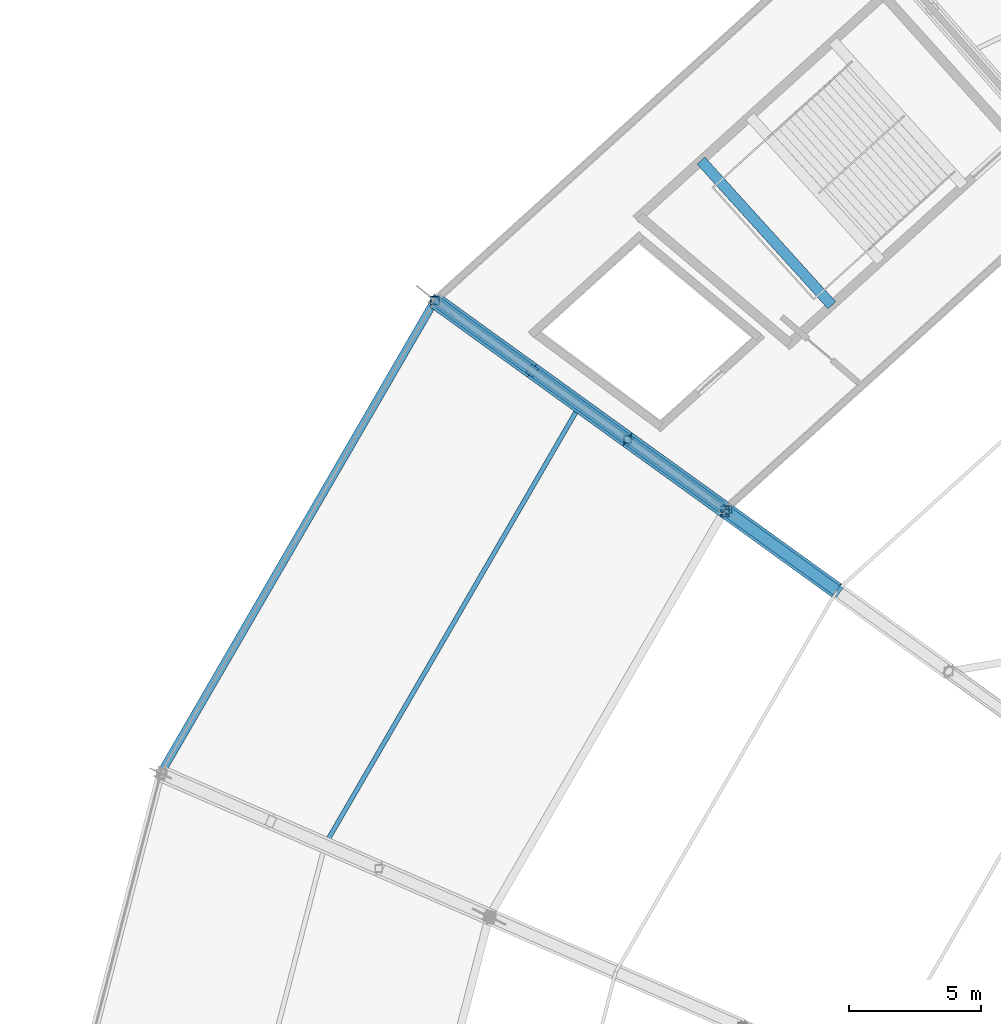
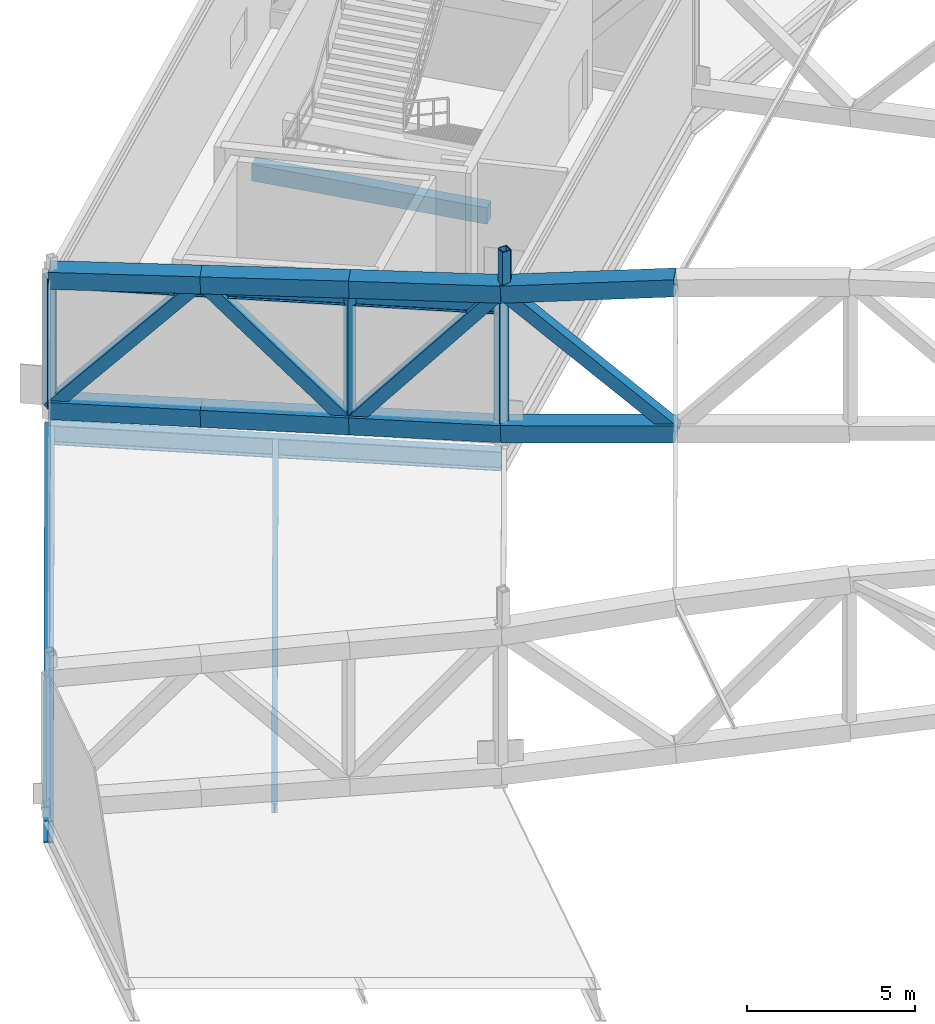
# One storey, part 66 of 162: 17 members, 5 beams.
"""IFC4 building model written with IfcOpenShell, lengths in metres."""

from ifc_helpers import new_model, si_unit, direction, frame, origin, origin_2d, place, context, subcontext, project, spatial, rectangle, hollow_rectangle, i_section, extrude, material, material_profile, profile_set, type_object, element, save


model = new_model("IFC4")

# Units and contexts
model_context = context("Model", 3, precision=1e-05, world=origin(), true_north=direction((0.0, 1.0)))
body_context = subcontext(model_context, "Body", "Model", "MODEL_VIEW")
ifc_project = project(units=[si_unit("LENGTHUNIT", "METRE"), si_unit("AREAUNIT", "SQUARE_METRE"), si_unit("VOLUMEUNIT", "CUBIC_METRE"), si_unit("PLANEANGLEUNIT", "RADIAN"), si_unit("MASSUNIT", "GRAM", prefix="KILO")], contexts=[model_context])

# Site, building, storey
site_placement = place(None, origin())
site = spatial("IfcSite", under=ifc_project, at=site_placement, CompositionType="ELEMENT")
building_placement = place(site_placement, origin())
building = spatial("IfcBuilding", under=site, at=building_placement, Name="Kazemori Nagisa Stadium", CompositionType="ELEMENT")
storey_placement = place(building_placement, frame((0.0, 0.0, 36.719970703125)))
storey = spatial("IfcBuildingStorey", under=building, at=storey_placement, Name="RF", CompositionType="ELEMENT", Elevation=36.719970703125)

# Beams
ifc_material_1 = material(Name="Steel SN490B", Category="steel")
ifc_material_profile_1 = material_profile(ifc_material_1, i_section(OverallWidth=0.199951171875, OverallDepth=0.5, WebThickness=0.010009765625, FlangeThickness=0.01611328125, FilletRadius=0.012939453125, at=origin_2d()), Name="H-500x200x10x16")
ifc_profile_set_1 = profile_set([ifc_material_profile_1], Name="Steel SN490B")
beam_type_1 = type_object("IfcBeamType", Name="Beam_BG-H500", PredefinedType="BEAM", material=ifc_profile_set_1)
beam_1_placement = place(storey_placement, frame((55.493896484375, 150.734130859375, 4.93994140625), z_axis=(-0.810787509935, 0.585340596349, 0.0), x_axis=(-0.585340596349, -0.810787509935, 0.0)))
element("IfcBeam", 1, at=beam_1_placement, inside=storey, type_object=beam_type_1, Name="Headhouse roof beam BG-H500 B11-radR", PredefinedType="BEAM", context=body_context, shape_type="SweptSolid", body=[
    extrude(i_section(OverallWidth=0.199951171875, OverallDepth=0.5, WebThickness=0.010009765625, FlangeThickness=0.01611328125, FilletRadius=0.012939453125, at=origin_2d()), origin(), (0.0, 0.0, 1.0), 13.5537109375),
])
ifc_material_profile_2 = material_profile(ifc_material_1, i_section(OverallWidth=0.300048828125, OverallDepth=0.699951171875, WebThickness=0.012939453125, FlangeThickness=0.02392578125, FilletRadius=0.01806640625, at=origin_2d()), Name="H-700x300x13x24")
ifc_profile_set_2 = profile_set([ifc_material_profile_2], Name="Steel SN490B")
beam_type_2 = type_object("IfcBeamType", Name="Beam_BG-H700", PredefinedType="BEAM", material=ifc_profile_set_2)
beam_2_placement = place(storey_placement, frame((55.493896484375, 150.734130859375, -0.6298828125), z_axis=(-0.810787509935, 0.585340596349, 0.0), x_axis=(-0.585340596349, -0.810787509935, 0.0)))
element("IfcBeam", 2, at=beam_2_placement, inside=storey, type_object=beam_type_2, Name="Radial girder BG-H700 RF R2-R3-12", PredefinedType="BEAM", context=body_context, shape_type="SweptSolid", body=[
    extrude(i_section(OverallWidth=0.300048828125, OverallDepth=0.699951171875, WebThickness=0.012939453125, FlangeThickness=0.02392578125, FilletRadius=0.01806640625, at=origin_2d()), origin(), (0.0, 0.0, 1.0), 13.5537109375),
])
ifc_material_profile_3 = material_profile(ifc_material_1, i_section(OverallWidth=0.300048828125, OverallDepth=0.800048828125, WebThickness=0.013916015625, FlangeThickness=0.02587890625, FilletRadius=0.01806640625, at=origin_2d()), Name="H-800x300x14x26")
ifc_profile_set_3 = profile_set([ifc_material_profile_3], Name="Steel SN490B")
beam_type_3 = type_object("IfcBeamType", Name="Beam_BG-H800", PredefinedType="BEAM", material=ifc_profile_set_3)
beam_3_placement = place(storey_placement, frame((44.504638671875, 158.667724609375, -0.679931640625), z_axis=(-0.50161277459, -0.8650922635, 0.0), x_axis=(0.8650922635, -0.50161277459, 0.0)))
element("IfcBeam", 3, at=beam_3_placement, inside=storey, type_object=beam_type_3, Name="Roof compression ring beam BG-H800 R3-12", PredefinedType="BEAM", context=body_context, shape_type="SweptSolid", body=[
    extrude(i_section(OverallWidth=0.300048828125, OverallDepth=0.800048828125, WebThickness=0.013916015625, FlangeThickness=0.02587890625, FilletRadius=0.01806640625, at=origin_2d()), origin(), (0.0, 0.0, 1.0), 20.71240234375),
])
ifc_material_2 = material(Name="Concrete C40/50 (Fc42)", Category="concrete")
ifc_material_profile_4 = material_profile(ifc_material_2, rectangle(XDim=0.39990234375, YDim=0.60009765625, at=origin_2d()), Name="RC-BM-400x600")
ifc_profile_set_4 = profile_set([ifc_material_profile_4], Name="Concrete C40/50 (Fc42)")
beam_type_4 = type_object("IfcBeamType", Name="Beam_BG-LND400X600", PredefinedType="BEAM", material=ifc_profile_set_4)
beam_4_placement = place(storey_placement, frame((59.542724609375, 158.486572265625, 2.219970703125), z_axis=(-0.671113236271, 0.74135485707, 0.0), x_axis=(-0.74135485707, -0.671113236271, 0.0)))
element("IfcBeam", 4, at=beam_4_placement, inside=storey, type_object=beam_type_4, Name="Core stair mid-landing girder ST02-RF-2", PredefinedType="BEAM", context=body_context, shape_type="SweptSolid", body=[
    extrude(rectangle(XDim=0.39990234375, YDim=0.60009765625, at=origin_2d()), origin(), (0.0, 0.0, 1.0), 7.385986328125),
])
ifc_material_profile_5 = material_profile(ifc_material_1, i_section(OverallWidth=0.175048828125, OverallDepth=0.35009765625, WebThickness=0.007080078125, FlangeThickness=0.010986328125, FilletRadius=0.012939453125, at=origin_2d()), Name="H-350x175x7x11")
ifc_profile_set_5 = profile_set([ifc_material_profile_5], Name="Steel SN490B")
beam_type_5 = type_object("IfcBeamType", Name="Beam_BJ-H350", PredefinedType="JOIST", material=ifc_profile_set_5)
beam_5_placement = place(storey_placement, frame((49.926513671875, 154.575439453125, -0.455078125), z_axis=(-0.501615441037, -0.86509071739, 0.0), x_axis=(0.86509071739, -0.501615441037, 0.0)))
element("IfcBeam", 5, at=beam_5_placement, inside=storey, type_object=beam_type_5, Name="Outer bay joist BJ-H350 RF B12", PredefinedType="JOIST", context=body_context, shape_type="SweptSolid", body=[
    extrude(i_section(OverallWidth=0.175048828125, OverallDepth=0.35009765625, WebThickness=0.007080078125, FlangeThickness=0.010986328125, FilletRadius=0.012939453125, at=origin_2d()), origin(), (0.0, 0.0, 1.0), 18.972412109375),
])

# Members
ifc_material_3 = material(Name="Steel STKR490", Category="steel")
ifc_material_profile_6 = material_profile(ifc_material_3, hollow_rectangle(XDim=0.280029296875, YDim=0.280029296875, WallThickness=0.010009765625, at=origin_2d()), Name="SHS-280x280x10")
ifc_profile_set_6 = profile_set([ifc_material_profile_6], Name="Steel STKR490")
member_type_1 = type_object("IfcMemberType", Name="Member_ST-SHS280", PredefinedType="STUD", material=ifc_profile_set_6)
member_1_placement = place(storey_placement, frame((55.613525390625, 150.743896484375, 5.56005859375), z_axis=(0.0, 0.0, 1.0), x_axis=(1.0, 0.0, 0.0)))
element("IfcMember", 6, at=member_1_placement, inside=storey, type_object=member_type_1, Name="Canopy bearing stool B11-mid-2", PredefinedType="STUD", context=body_context, shape_type="SweptSolid", body=[
    extrude(hollow_rectangle(XDim=0.280029296875, YDim=0.280029296875, WallThickness=0.010009765625, at=origin_2d()), origin(), (0.0, 0.0, 1.0), 1.427001953125),
])
member_2_placement = place(storey_placement, frame((55.517578125, 150.616455078125, 5.56005859375), z_axis=(0.0, 0.0, 1.0), x_axis=(1.0, 0.0, 0.0)))
element("IfcMember", 7, at=member_2_placement, inside=storey, type_object=member_type_1, Name="Canopy bearing stool B12-mid-1", PredefinedType="STUD", context=body_context, shape_type="SweptSolid", body=[
    extrude(hollow_rectangle(XDim=0.280029296875, YDim=0.280029296875, WallThickness=0.010009765625, at=origin_2d()), origin(), (0.0, 0.0, 1.0), 1.512939453125),
])
ifc_material_profile_7 = material_profile(ifc_material_3, hollow_rectangle(XDim=0.419921875, YDim=0.419921875, WallThickness=0.01611328125, at=origin_2d()), Name="SHS-420x420x16")
ifc_profile_set_7 = profile_set([ifc_material_profile_7], Name="Steel STKR490")
member_type_2 = type_object("IfcMemberType", Name="Member_TB-SHS420", PredefinedType="BRACE", material=ifc_profile_set_7)
member_3_placement = place(storey_placement, frame((44.504638671875, 158.667724609375, 0.360107421875), z_axis=(0.551711223823, -0.398330319099, 0.732767140635), x_axis=(0.585367131557, 0.810768352425, 0.0)))
element("IfcMember", 8, at=member_3_placement, inside=storey, type_object=member_type_2, Name="Roof space truss diagonal RT-12-1", PredefinedType="BRACE", context=body_context, shape_type="SweptSolid", body=[
    extrude(hollow_rectangle(XDim=0.419921875, YDim=0.419921875, WallThickness=0.01611328125, at=origin_2d()), origin(), (0.0, 0.0, 1.0), 6.686767578125),
])
member_4_placement = place(storey_placement, frame((48.19384765625, 156.004150390625, 5.260009765625), z_axis=(0.550225469155, -0.397211449234, -0.734489617142), x_axis=(0.585322409097, 0.810800639744, 0.0)))
element("IfcMember", 9, at=member_4_placement, inside=storey, type_object=member_type_2, Name="Roof space truss diagonal RT-12-2", PredefinedType="BRACE", context=body_context, shape_type="SweptSolid", body=[
    extrude(hollow_rectangle(XDim=0.419921875, YDim=0.419921875, WallThickness=0.01611328125, at=origin_2d()), origin(), (0.0, 0.0, 1.0), 6.5625),
])
member_5_placement = place(storey_placement, frame((51.8046875, 153.3974609375, 0.43994140625), z_axis=(0.538589651262, -0.388821024791, 0.747488727831), x_axis=(0.585331860569, 0.810793816579, 0.0)))
element("IfcMember", 10, at=member_5_placement, inside=storey, type_object=member_type_2, Name="Roof space truss diagonal RT-12-3", PredefinedType="BRACE", context=body_context, shape_type="SweptSolid", body=[
    extrude(hollow_rectangle(XDim=0.419921875, YDim=0.419921875, WallThickness=0.01611328125, at=origin_2d()), origin(), (0.0, 0.0, 1.0), 6.849853515625),
])
member_6_placement = place(storey_placement, frame((55.493896484375, 150.734130859375, 5.56005859375), z_axis=(0.601696897142, -0.434377888998, -0.670281055617), x_axis=(0.585330267791, 0.810794966442, 0.0)))
element("IfcMember", 11, at=member_6_placement, inside=storey, type_object=member_type_2, Name="Roof space truss diagonal RT-12-4", PredefinedType="BRACE", context=body_context, shape_type="SweptSolid", body=[
    extrude(hollow_rectangle(XDim=0.419921875, YDim=0.419921875, WallThickness=0.01611328125, at=origin_2d()), origin(), (0.0, 0.0, 1.0), 7.044677734375),
])
ifc_material_profile_8 = material_profile(ifc_material_3, hollow_rectangle(XDim=0.6201171875, YDim=0.6201171875, WallThickness=0.02197265625, at=origin_2d()), Name="SHS-620x620x22")
ifc_profile_set_8 = profile_set([ifc_material_profile_8], Name="Steel STKR490")
member_type_3 = type_object("IfcMemberType", Name="Member_TC-SHS620", PredefinedType="CHORD", material=ifc_profile_set_8)
member_7_placement = place(storey_placement, frame((44.504638671875, 158.667724609375, 5.10009765625), z_axis=(0.810268139973, -0.585005982867, 0.035121807404), x_axis=(0.585367131557, 0.810768352425, 0.0)))
element("IfcMember", 12, at=member_7_placement, inside=storey, type_object=member_type_3, Name="Roof space truss top chord RT-12-1", PredefinedType="CHORD", context=body_context, shape_type="SweptSolid", body=[
    extrude(hollow_rectangle(XDim=0.6201171875, YDim=0.6201171875, WallThickness=0.02197265625, at=origin_2d()), origin(), (0.0, 0.0, 1.0), 4.552978515625),
])
member_8_placement = place(storey_placement, frame((44.504638671875, 158.667724609375, 0.360107421875), z_axis=(0.810736966391, -0.585344471135, 0.008798945304), x_axis=(0.585367131557, 0.810768352425, 0.0)))
element("IfcMember", 13, at=member_8_placement, inside=storey, type_object=member_type_3, Name="Roof space truss bottom chord RT-12-1", PredefinedType="CHORD", context=body_context, shape_type="SweptSolid", body=[
    extrude(hollow_rectangle(XDim=0.6201171875, YDim=0.6201171875, WallThickness=0.02197265625, at=origin_2d()), origin(), (0.0, 0.0, 1.0), 4.550537109375),
])
member_9_placement = place(storey_placement, frame((48.19384765625, 156.004150390625, 5.260009765625), z_axis=(0.810278437443, -0.584945427761, 0.035884542023), x_axis=(0.585322409097, 0.810800639744, 0.0)))
element("IfcMember", 14, at=member_9_placement, inside=storey, type_object=member_type_3, Name="Roof space truss top chord RT-12-2", PredefinedType="CHORD", context=body_context, shape_type="SweptSolid", body=[
    extrude(hollow_rectangle(XDim=0.6201171875, YDim=0.6201171875, WallThickness=0.02197265625, at=origin_2d()), origin(), (0.0, 0.0, 1.0), 4.456298828125),
])
member_10_placement = place(storey_placement, frame((48.19384765625, 156.004150390625, 0.400146484375), z_axis=(0.810768271055, -0.585299041924, 0.008935444772), x_axis=(0.585322409097, 0.810800639744, 0.0)))
element("IfcMember", 15, at=member_10_placement, inside=storey, type_object=member_type_3, Name="Roof space truss bottom chord RT-12-2", PredefinedType="CHORD", context=body_context, shape_type="SweptSolid", body=[
    extrude(hollow_rectangle(XDim=0.6201171875, YDim=0.6201171875, WallThickness=0.02197265625, at=origin_2d()), origin(), (0.0, 0.0, 1.0), 4.45361328125),
])
member_11_placement = place(storey_placement, frame((51.8046875, 153.3974609375, 5.419921875), z_axis=(0.810409552459, -0.585054450915, 0.030783871558), x_axis=(0.585331860569, 0.810793816579, 0.0)))
element("IfcMember", 16, at=member_11_placement, inside=storey, type_object=member_type_3, Name="Roof space truss top chord RT-12-3", PredefinedType="CHORD", context=body_context, shape_type="SweptSolid", body=[
    extrude(hollow_rectangle(XDim=0.6201171875, YDim=0.6201171875, WallThickness=0.02197265625, at=origin_2d()), origin(), (0.0, 0.0, 1.0), 4.55224609375),
])
member_12_placement = place(storey_placement, frame((51.8046875, 153.3974609375, 0.43994140625), z_axis=(0.810762427588, -0.58530920009, 0.008799221635), x_axis=(0.585331860569, 0.810793816579, 0.0)))
element("IfcMember", 17, at=member_12_placement, inside=storey, type_object=member_type_3, Name="Roof space truss bottom chord RT-12-3", PredefinedType="CHORD", context=body_context, shape_type="SweptSolid", body=[
    extrude(hollow_rectangle(XDim=0.6201171875, YDim=0.6201171875, WallThickness=0.02197265625, at=origin_2d()), origin(), (0.0, 0.0, 1.0), 4.55029296875),
])
member_13_placement = place(storey_placement, frame((55.493896484375, 150.734130859375, 5.56005859375), z_axis=(0.805420059721, -0.581450007404, 0.114953974657), x_axis=(0.585330267791, 0.810794966442, 0.0)))
element("IfcMember", 18, at=member_13_placement, inside=storey, type_object=member_type_3, Name="Roof space truss top chord RT-12-4", PredefinedType="CHORD", context=body_context, shape_type="SweptSolid", body=[
    extrude(hollow_rectangle(XDim=0.6201171875, YDim=0.6201171875, WallThickness=0.02197265625, at=origin_2d()), origin(), (0.0, 0.0, 1.0), 5.2626953125),
])
member_14_placement = place(storey_placement, frame((55.493896484375, 150.734130859375, 0.47998046875), z_axis=(0.808898966076, -0.583961504481, 0.068347816106), x_axis=(0.585330267791, 0.810794966442, 0.0)))
element("IfcMember", 19, at=member_14_placement, inside=storey, type_object=member_type_3, Name="Roof space truss bottom chord RT-12-4", PredefinedType="CHORD", context=body_context, shape_type="SweptSolid", body=[
    extrude(hollow_rectangle(XDim=0.6201171875, YDim=0.6201171875, WallThickness=0.02197265625, at=origin_2d()), origin(), (0.0, 0.0, 1.0), 5.240234375),
])
ifc_material_profile_9 = material_profile(ifc_material_3, hollow_rectangle(XDim=0.280029296875, YDim=0.280029296875, WallThickness=0.010009765625, at=origin_2d()), Name="SHS-280x280x10")
ifc_profile_set_9 = profile_set([ifc_material_profile_9], Name="Steel STKR490")
member_type_4 = type_object("IfcMemberType", Name="Member_TS-SHS280", PredefinedType="STRUT", material=ifc_profile_set_9)
member_15_placement = place(storey_placement, frame((51.8046875, 153.3974609375, 0.43994140625), z_axis=(0.0, 0.0, 1.0), x_axis=(1.0, 0.0, 0.0)))
element("IfcMember", 20, at=member_15_placement, inside=storey, type_object=member_type_4, Name="Roof space truss strut RT-12-3", PredefinedType="STRUT", context=body_context, shape_type="SweptSolid", body=[
    extrude(hollow_rectangle(XDim=0.280029296875, YDim=0.280029296875, WallThickness=0.010009765625, at=origin_2d()), origin(), (0.0, 0.0, 1.0), 4.97998046875),
])
ifc_material_profile_10 = material_profile(ifc_material_3, hollow_rectangle(XDim=0.320068359375, YDim=0.320068359375, WallThickness=0.011962890625, at=origin_2d()), Name="SHS-320x320x12")
ifc_profile_set_10 = profile_set([ifc_material_profile_10], Name="Steel STKR490")
member_type_5 = type_object("IfcMemberType", Name="Member_TS-SHS320", PredefinedType="STRUT", material=ifc_profile_set_10)
member_16_placement = place(storey_placement, frame((44.504638671875, 158.667724609375, 0.360107421875), z_axis=(0.0, 0.0, 1.0), x_axis=(1.0, 0.0, 0.0)))
element("IfcMember", 21, at=member_16_placement, inside=storey, type_object=member_type_5, Name="Roof space truss strut RT-12-1", PredefinedType="STRUT", context=body_context, shape_type="SweptSolid", body=[
    extrude(hollow_rectangle(XDim=0.320068359375, YDim=0.320068359375, WallThickness=0.011962890625, at=origin_2d()), origin(), (0.0, 0.0, 1.0), 4.739990234375),
])
member_17_placement = place(storey_placement, frame((55.493896484375, 150.734130859375, 0.47998046875), z_axis=(0.0, 0.0, 1.0), x_axis=(1.0, 0.0, 0.0)))
element("IfcMember", 22, at=member_17_placement, inside=storey, type_object=member_type_5, Name="Roof space truss strut RT-12-4", PredefinedType="STRUT", context=body_context, shape_type="SweptSolid", body=[
    extrude(hollow_rectangle(XDim=0.320068359375, YDim=0.320068359375, WallThickness=0.011962890625, at=origin_2d()), origin(), (0.0, 0.0, 1.0), 5.080078125),
])

save(model, "model.ifc")
